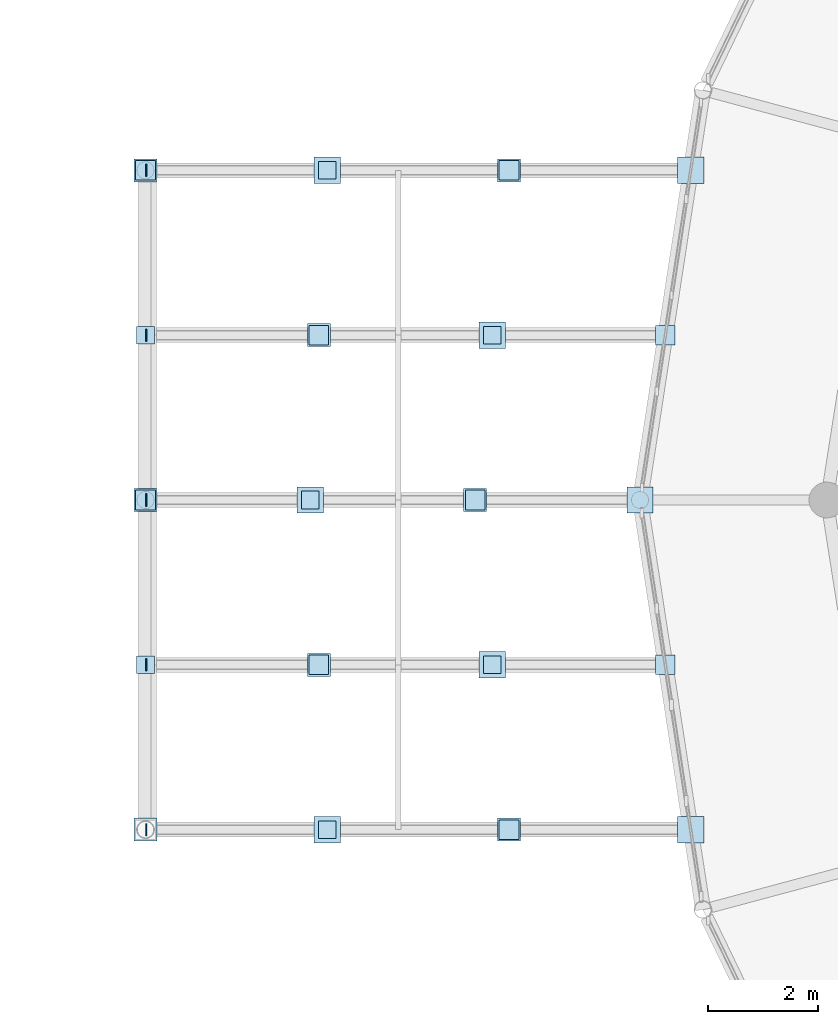
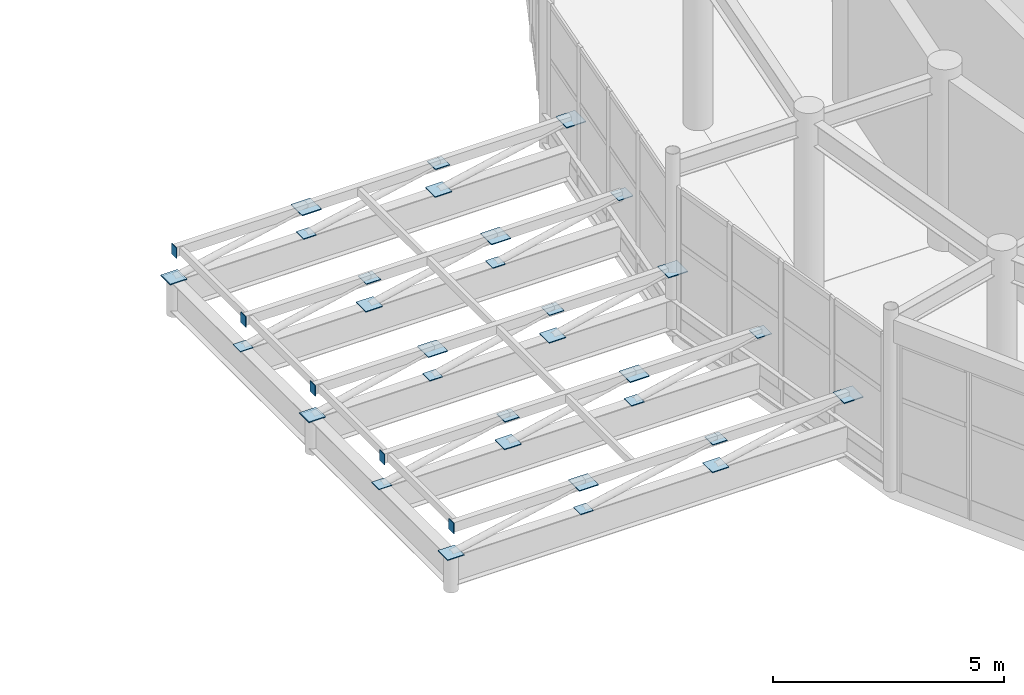
# One storey, part 94 of 144: 37 plates.
"""IFC4 building model written with IfcOpenShell, lengths in metres."""

import ifcopenshell
import ifcopenshell.guid

model = None  # the IFC model being written
_history = None  # IfcOwnerHistory: only IFC2X3 demands one
_inside = {}  # id of a spatial element -> (the spatial element, [elements in it])
_under = {}  # id of a project, library or spatial element -> (it, [spatial elements below it])
_declared = {}  # id of a project -> (the project, [libraries it declares])
_typed = {}  # id of a type object -> (the type object, [elements of that type])
_made_of = {}  # id of a material, layer set ... -> (it, [elements and type objects made of it])


def new_model(schema):
    """Start an empty IFC model of exactly this schema.

    Asked for "IFC4X3", IfcOpenShell would pick the latest addendum, in which some entities
    have other attributes; the version numbers below select the first issue.
    IFC2X3 requires an IfcOwnerHistory on every rooted entity: one is made here for all.
    """
    global model, _history
    if schema == "IFC4X3":
        model = ifcopenshell.file(schema_version=(4, 3, 0, 0))
    else:
        model = ifcopenshell.file(schema=schema)
    _inside.clear()
    _under.clear()
    _declared.clear()
    _typed.clear()
    _made_of.clear()
    _history = None
    if model.schema == "IFC2X3":
        org = make("IfcOrganization", Name="unknown")
        user = make(
            "IfcPersonAndOrganization",
            ThePerson=make("IfcPerson", FamilyName="unknown"),
            TheOrganization=org,
        )
        app = make(
            "IfcApplication",
            ApplicationDeveloper=org,
            Version="unknown",
            ApplicationFullName="unknown",
            ApplicationIdentifier="unknown",
        )
        _history = make(
            "IfcOwnerHistory",
            OwningUser=user,
            OwningApplication=app,
            ChangeAction="ADDED",
            CreationDate=0,
        )
    return model


def make(cls, **values):
    """One entity of the class cls with the attributes given. An attribute that is None is left unset."""
    return model.create_entity(
        cls, **{name: value for name, value in values.items() if value is not None}
    )


def rooted(cls, **values):
    """An entity with a GlobalId (a new one), such as an element, a storey or a relation."""
    return make(cls, GlobalId=ifcopenshell.guid.new(), OwnerHistory=_history, **values)


def si_unit(unit_type, name, prefix=None):
    """IfcSIUnit, for example si_unit("LENGTHUNIT", "METRE", prefix="MILLI")."""
    return make("IfcSIUnit", UnitType=unit_type, Prefix=prefix, Name=name)


def assignment(units):
    """IfcUnitAssignment: the units of a project."""
    return None if units is None else make("IfcUnitAssignment", Units=units)


def point(xyz):
    """IfcCartesianPoint."""
    return None if xyz is None else make("IfcCartesianPoint", Coordinates=xyz)


def direction(xyz):
    """IfcDirection."""
    return None if xyz is None else make("IfcDirection", DirectionRatios=xyz)


def frame(location, z_axis=None, x_axis=None):
    """IfcAxis2Placement3D, a coordinate frame: its origin and axes. An axis left out is left unset."""
    return make(
        "IfcAxis2Placement3D",
        Location=point(location),
        Axis=direction(z_axis),
        RefDirection=direction(x_axis),
    )


def frame_2d(location, x_axis=None):
    """IfcAxis2Placement2D, a coordinate frame in the plane: its origin and x axis."""
    return make(
        "IfcAxis2Placement2D", Location=point(location), RefDirection=direction(x_axis)
    )


def origin():
    """The frame at (0, 0, 0) with its axes left unset."""
    return frame((0.0, 0.0, 0.0))


def origin_2d():
    """The frame at (0, 0) in the plane with its x axis left unset."""
    return frame_2d((0.0, 0.0))


def place(relative_to, where):
    """IfcLocalPlacement: puts the frame where relative to a parent placement (None: the world)."""
    return make(
        "IfcLocalPlacement", PlacementRelTo=relative_to, RelativePlacement=where
    )


def context(
    kind, dimensions, precision=None, world=None, true_north=None, identifier=None
):
    """IfcGeometricRepresentationContext, for example the 3D "Model" context."""
    return make(
        "IfcGeometricRepresentationContext",
        ContextIdentifier=identifier,
        ContextType=kind,
        CoordinateSpaceDimension=dimensions,
        Precision=precision,
        WorldCoordinateSystem=world,
        TrueNorth=true_north,
    )


def subcontext(parent, identifier, kind, view, scale=None):
    """IfcGeometricRepresentationSubContext, for example "Body" below "Model"."""
    return make(
        "IfcGeometricRepresentationSubContext",
        ContextIdentifier=identifier,
        ContextType=kind,
        ParentContext=parent,
        TargetScale=scale,
        TargetView=view,
    )


def project(units=None, contexts=None):
    """IfcProject with its units and contexts."""
    return rooted(
        "IfcProject",
        Name="project",
        RepresentationContexts=contexts,
        UnitsInContext=assignment(units),
    )


def spatial(cls, under=None, at=None, **own):
    """A site, building, storey or space (cls), placed at a placement, below another one or the project."""
    s = rooted(cls, ObjectPlacement=at, **own)
    if under is not None:
        _under.setdefault(under.id(), (under, []))[1].append(s)
    return s


def profile(cls, at=None, kind="AREA", **sizes):
    """A parametric profile (cls). Its sizes go by their IFC names, for example OverallWidth=200.0."""
    return make(cls, ProfileType=kind, Position=at, **sizes)


def rectangle(**sizes):
    """IfcRectangleProfileDef."""
    return profile("IfcRectangleProfileDef", **sizes)


def extrude(swept, where, along, depth):
    """IfcExtrudedAreaSolid: the profile swept, set in the frame where, extruded along a direction by depth."""
    return make(
        "IfcExtrudedAreaSolid",
        SweptArea=swept,
        Position=where,
        ExtrudedDirection=direction(along),
        Depth=depth,
    )


def shape(context_of_items, identifier, shape_type, items):
    """IfcShapeRepresentation: the items that make up one representation, for example the "Body"."""
    return make(
        "IfcShapeRepresentation",
        ContextOfItems=context_of_items,
        RepresentationIdentifier=identifier,
        RepresentationType=shape_type,
        Items=items,
    )


def material(Name=None, Category=None):
    """IfcMaterial."""
    return make("IfcMaterial", Name=Name, Category=Category)


def layer(
    of_material, thickness, ventilated=None, Name=None, Category=None, Priority=None
):
    """IfcMaterialLayer: one layer of a wall or slab, of a material (None: an air gap)."""
    return make(
        "IfcMaterialLayer",
        Material=of_material,
        LayerThickness=thickness,
        IsVentilated=ventilated,
        Name=Name,
        Category=Category,
        Priority=Priority,
    )


def layer_set(layers, Name=None):
    """IfcMaterialLayerSet."""
    return make("IfcMaterialLayerSet", MaterialLayers=layers, LayerSetName=Name)


def made_of(thing, what):
    """Note that an element or type object is made of a material, layer set ...; save() writes the relation."""
    if what is not None:
        _made_of.setdefault(what.id(), (what, []))[1].append(thing)
    return thing


def type_object(cls, material=None, **own):
    """A type object (cls), such as IfcWallType, which elements share."""
    return made_of(rooted(cls, **own), material)


def element(
    cls,
    number,
    at=None,
    inside=None,
    cuts=None,
    type_object=None,
    material=None,
    context=None,
    identifier="Body",
    shape_type=None,
    held_by="IfcProductDefinitionShape",
    body=None,
    shapes=None,
    **own,
):
    """One element of the class cls, such as IfcWall. Its Tag is "e" and its number.

    at: its placement. inside: the storey or other place that contains it. cuts: it is an
    opening in that element (IfcRelVoidsElement). A single representation is given by context,
    identifier, shape_type and body (its items); several are given by shapes. held_by: the class
    of the entity that holds the representations. save() writes the other relations.
    """
    e = rooted(cls, Tag="e%d" % number, ObjectPlacement=at, **own)
    if body is not None:
        shapes = [shape(context, identifier, shape_type, body)]
    if shapes is not None:
        e.Representation = make(held_by, Representations=shapes)
    if inside is not None:
        _inside.setdefault(inside.id(), (inside, []))[1].append(e)
    if cuts is not None:
        rooted(
            "IfcRelVoidsElement", RelatingBuildingElement=cuts, RelatedOpeningElement=e
        )
    if type_object is not None:
        _typed.setdefault(type_object.id(), (type_object, []))[1].append(e)
    return made_of(e, material)


def aggregate(whole, parts):
    """IfcRelAggregates: a whole, such as a stair, and the parts it consists of."""
    return rooted("IfcRelAggregates", RelatingObject=whole, RelatedObjects=parts)


def save(model, path):
    """Write the relations noted so far, then the file.

    IfcRelAggregates (storeys below a building ...), IfcRelContainedInSpatialStructure (elements
    in a storey), IfcRelDefinesByType, IfcRelAssociatesMaterial and IfcRelDeclares: one each for
    every whole, place, type object, material and project.
    """
    for whole, parts in _under.values():
        aggregate(whole, parts)
    for where, things in _inside.values():
        rooted(
            "IfcRelContainedInSpatialStructure",
            RelatedElements=things,
            RelatingStructure=where,
        )
    for kind, things in _typed.values():
        rooted("IfcRelDefinesByType", RelatedObjects=things, RelatingType=kind)
    for what, things in _made_of.values():
        rooted("IfcRelAssociatesMaterial", RelatedObjects=things, RelatingMaterial=what)
    for by, libraries in _declared.values():
        rooted("IfcRelDeclares", RelatingContext=by, RelatedDefinitions=libraries)
    model.write(path)


model = new_model("IFC4")

# Units and contexts
model_context = context("Model", 3, precision=1e-05, world=origin(), true_north=direction((0.0, 1.0)))
body_context = subcontext(model_context, "Body", "Model", "MODEL_VIEW")
ifc_project = project(units=[si_unit("LENGTHUNIT", "METRE"), si_unit("AREAUNIT", "SQUARE_METRE"), si_unit("VOLUMEUNIT", "CUBIC_METRE"), si_unit("PLANEANGLEUNIT", "RADIAN"), si_unit("MASSUNIT", "GRAM", prefix="KILO")], contexts=[model_context])

# Site, building, storey
site_placement = place(None, origin())
site = spatial("IfcSite", under=ifc_project, at=site_placement, CompositionType="ELEMENT")
building_placement = place(site_placement, origin())
building = spatial("IfcBuilding", under=site, at=building_placement, Name="Cinderbank Siding Concert Hall", CompositionType="ELEMENT")
storey_placement = place(building_placement, frame((0.0, 0.0, 5.39990234375)))
storey = spatial("IfcBuildingStorey", under=building, at=storey_placement, Name="L02", CompositionType="ELEMENT", Elevation=5.39990234375)

# Plates
ifc_material = material(Name="Structural steel welded plate section AS/NZS 3679.2 / AS/NZS 3678 Grade 350 (340 MPa)", Category="steel")
ifc_layer_1 = layer(ifc_material, 0.02490234375)
ifc_layer_set_1 = layer_set([ifc_layer_1], Name="Structural steel welded plate section AS/NZS 3679.2 / AS/NZS 3678 Grade 350 (340 MPa)")
plate_type_1 = type_object("IfcPlateType", Name="GP-01 Steel Gusset Cap Plate 480x480x25", PredefinedType="SHEET", material=ifc_layer_set_1)
for number, where, z_axis, x_axis, name in (
    (1, (89.321533203125, 38.0, 1.6376953125), (0.0, 0.0, 1.0), (-1.0, 0.0, 0.0), "L02 Steel Node Gusset Plate GP-01 #88"),
    (2, (82.707275390625, 38.0, 1.6376953125), (0.0, 0.0, 1.0), (-1.0, 0.0, 0.0), "L02 Steel Node Gusset Plate GP-01 #92"),
    (3, (85.707275390625, 41.0, 1.6376953125), (0.0, 0.0, 1.0), (-1.0, 0.0, 0.0), "L02 Steel Node Gusset Plate GP-01 #96"),
    (4, (88.39990234375, 44.0, 1.6376953125), (0.0, 0.0, 1.0), (-1.0, 0.0, 0.0), "L02 Steel Node Gusset Plate GP-01 #100"),
    (5, (82.39990234375, 44.0, 1.6376953125), (0.0, 0.0, 1.0), (-1.0, 0.0, 0.0), "L02 Steel Node Gusset Plate GP-01 #104"),
    (6, (85.707275390625, 47.0, 1.6376953125), (0.0, 0.0, 1.0), (-1.0, 0.0, 0.0), "L02 Steel Node Gusset Plate GP-01 #108"),
    (7, (89.321533203125, 50.0, 1.6376953125), (0.0, 0.0, 1.0), (-1.0, 0.0, 0.0), "L02 Steel Node Gusset Plate GP-01 #112"),
    (8, (82.707275390625, 50.0, 1.6376953125), (0.0, 0.0, 1.0), (-1.0, 0.0, 0.0), "L02 Steel Node Gusset Plate GP-01 #116"),
):
    element("IfcPlate", number, at=place(storey_placement, frame(where, z_axis=z_axis, x_axis=x_axis)), inside=storey, type_object=plate_type_1, Name=name, PredefinedType="SHEET", context=body_context, shape_type="SweptSolid", body=[
        extrude(rectangle(XDim=0.47998046875, YDim=0.47998046875, at=origin_2d()), origin(), (0.0, 0.0, 1.0), 0.02490234375),
    ])
ifc_layer_2 = layer(ifc_material, 0.02197265625)
ifc_layer_set_2 = layer_set([ifc_layer_2], Name="Structural steel welded plate section AS/NZS 3679.2 / AS/NZS 3678 Grade 350 (340 MPa)")
plate_type_2 = type_object("IfcPlateType", Name="GP-02 Steel Gusset Cap Plate 420x420x22", PredefinedType="SHEET", material=ifc_layer_set_2)
for number, where, z_axis, x_axis, name in (
    (9, (86.014404296875, 38.0, 0.939208984375), (0.0, 0.0, 1.0), (-1.0, 0.0, 0.0), "L02 Steel Node Gusset Plate GP-02 #89"),
    (10, (79.39990234375, 38.0, 0.939208984375), (0.0, 0.0, 1.0), (-1.0, 0.0, 0.0), "L02 Steel Node Gusset Plate GP-02 #93"),
    (11, (82.5537109375, 41.0, 0.939208984375), (0.0, 0.0, 1.0), (-1.0, 0.0, 0.0), "L02 Steel Node Gusset Plate GP-02 #97"),
    (12, (85.39990234375, 44.0, 0.939208984375), (0.0, 0.0, 1.0), (-1.0, 0.0, 0.0), "L02 Steel Node Gusset Plate GP-02 #101"),
    (13, (79.39990234375, 44.0, 0.939208984375), (0.0, 0.0, 1.0), (-1.0, 0.0, 0.0), "L02 Steel Node Gusset Plate GP-02 #105"),
    (14, (82.5537109375, 47.0, 0.939208984375), (0.0, 0.0, 1.0), (-1.0, 0.0, 0.0), "L02 Steel Node Gusset Plate GP-02 #109"),
    (15, (86.014404296875, 50.0, 0.939208984375), (0.0, 0.0, 1.0), (-1.0, 0.0, 0.0), "L02 Steel Node Gusset Plate GP-02 #113"),
    (16, (79.39990234375, 50.0, 0.939208984375), (0.0, 0.0, 1.0), (-1.0, 0.0, 0.0), "L02 Steel Node Gusset Plate GP-02 #117"),
):
    element("IfcPlate", number, at=place(storey_placement, frame(where, z_axis=z_axis, x_axis=x_axis)), inside=storey, type_object=plate_type_2, Name=name, PredefinedType="SHEET", context=body_context, shape_type="SweptSolid", body=[
        extrude(rectangle(XDim=0.419921875, YDim=0.419921875, at=origin_2d()), origin(), (0.0, 0.0, 1.0), 0.02197265625),
    ])
ifc_layer_3 = layer(ifc_material, 0.02001953125)
ifc_layer_set_3 = layer_set([ifc_layer_3], Name="Structural steel welded plate section AS/NZS 3679.2 / AS/NZS 3678 Grade 350 (340 MPa)")
plate_type_3 = type_object("IfcPlateType", Name="GP-03 Steel Gusset Cap Plate 360x360x20", PredefinedType="SHEET", material=ifc_layer_set_3)
for number, where, z_axis, x_axis, name in (
    (17, (79.39990234375, 44.0, 0.93017578125), (0.0, 0.0, 1.0), (1.0, 0.0, 0.0), "L02 Column End Cap Plate GP-03 COL-CNP-02-L02"),
    (18, (79.39990234375, 50.0, 0.93017578125), (0.0, 0.0, 1.0), (1.0, 0.0, 0.0), "L02 Column End Cap Plate GP-03 COL-CNP-03-L02"),
    (19, (86.014404296875, 38.0, 1.64013671875), (0.0, 0.0, 1.0), (-1.0, 0.0, 0.0), "L02 Steel Node Gusset Plate GP-03 #90"),
    (20, (88.86083984375, 41.0, 1.64013671875), (0.0, 0.0, 1.0), (-1.0, 0.0, 0.0), "L02 Steel Node Gusset Plate GP-03 #94"),
    (21, (82.5537109375, 41.0, 1.64013671875), (0.0, 0.0, 1.0), (-1.0, 0.0, 0.0), "L02 Steel Node Gusset Plate GP-03 #98"),
    (22, (85.39990234375, 44.0, 1.64013671875), (0.0, 0.0, 1.0), (-1.0, 0.0, 0.0), "L02 Steel Node Gusset Plate GP-03 #102"),
    (23, (88.86083984375, 47.0, 1.64013671875), (0.0, 0.0, 1.0), (-1.0, 0.0, 0.0), "L02 Steel Node Gusset Plate GP-03 #106"),
    (24, (82.5537109375, 47.0, 1.64013671875), (0.0, 0.0, 1.0), (-1.0, 0.0, 0.0), "L02 Steel Node Gusset Plate GP-03 #110"),
    (25, (86.014404296875, 50.0, 1.64013671875), (0.0, 0.0, 1.0), (-1.0, 0.0, 0.0), "L02 Steel Node Gusset Plate GP-03 #114"),
):
    element("IfcPlate", number, at=place(storey_placement, frame(where, z_axis=z_axis, x_axis=x_axis)), inside=storey, type_object=plate_type_3, Name=name, PredefinedType="SHEET", context=body_context, shape_type="SweptSolid", body=[
        extrude(rectangle(XDim=0.360107421875, YDim=0.360107421875, at=origin_2d()), origin(), (0.0, 0.0, 1.0), 0.02001953125),
    ])
ifc_layer_4 = layer(ifc_material, 0.02099609375)
ifc_layer_set_4 = layer_set([ifc_layer_4], Name="Structural steel welded plate section AS/NZS 3679.2 / AS/NZS 3678 Grade 350 (340 MPa)")
plate_type_4 = type_object("IfcPlateType", Name="GP-04 Steel Gusset Cap Plate 320x320x21", PredefinedType="SHEET", material=ifc_layer_set_4)
for number, where, z_axis, x_axis, name in (
    (26, (82.707275390625, 38.0, 0.939697265625), (0.0, 0.0, 1.0), (-1.0, 0.0, 0.0), "L02 Steel Node Gusset Plate GP-04 #91"),
    (27, (85.707275390625, 41.0, 0.939697265625), (0.0, 0.0, 1.0), (-1.0, 0.0, 0.0), "L02 Steel Node Gusset Plate GP-04 #95"),
    (28, (79.39990234375, 41.0, 0.939697265625), (0.0, 0.0, 1.0), (-1.0, 0.0, 0.0), "L02 Steel Node Gusset Plate GP-04 #99"),
    (29, (82.39990234375, 44.0, 0.939697265625), (0.0, 0.0, 1.0), (-1.0, 0.0, 0.0), "L02 Steel Node Gusset Plate GP-04 #103"),
    (30, (85.707275390625, 47.0, 0.939697265625), (0.0, 0.0, 1.0), (-1.0, 0.0, 0.0), "L02 Steel Node Gusset Plate GP-04 #107"),
    (31, (79.39990234375, 47.0, 0.939697265625), (0.0, 0.0, 1.0), (-1.0, 0.0, 0.0), "L02 Steel Node Gusset Plate GP-04 #111"),
    (32, (82.707275390625, 50.0, 0.939697265625), (0.0, 0.0, 1.0), (-1.0, 0.0, 0.0), "L02 Steel Node Gusset Plate GP-04 #115"),
):
    element("IfcPlate", number, at=place(storey_placement, frame(where, z_axis=z_axis, x_axis=x_axis)), inside=storey, type_object=plate_type_4, Name=name, PredefinedType="SHEET", context=body_context, shape_type="SweptSolid", body=[
        extrude(rectangle(XDim=0.320068359375, YDim=0.320068359375, at=origin_2d()), origin(), (0.0, 0.0, 1.0), 0.02099609375),
    ])
plate_type_5 = type_object("IfcPlateType", Name="GP-09 Steel Gusset Cap Plate 20x220x280", PredefinedType="SHEET", material=ifc_material)
for number, where, z_axis, x_axis, name in (
    (33, (79.409912109375, 38.0, 1.51025390625), (0.0, 0.0, 1.0), (1.0, 0.0, 0.0), "L02 Canopy Chord End Cap Plate GP-09 #1"),
    (34, (79.409912109375, 41.0, 1.51025390625), (0.0, 0.0, 1.0), (1.0, 0.0, 0.0), "L02 Canopy Chord End Cap Plate GP-09 #2"),
    (35, (79.409912109375, 44.0, 1.51025390625), (0.0, 0.0, 1.0), (1.0, 0.0, 0.0), "L02 Canopy Chord End Cap Plate GP-09 #3"),
    (36, (79.409912109375, 47.0, 1.51025390625), (0.0, 0.0, 1.0), (1.0, 0.0, 0.0), "L02 Canopy Chord End Cap Plate GP-09 #4"),
    (37, (79.409912109375, 50.0, 1.51025390625), (0.0, 0.0, 1.0), (1.0, 0.0, 0.0), "L02 Canopy Chord End Cap Plate GP-09 #5"),
):
    element("IfcPlate", number, at=place(storey_placement, frame(where, z_axis=z_axis, x_axis=x_axis)), inside=storey, type_object=plate_type_5, Name=name, PredefinedType="SHEET", context=body_context, shape_type="SweptSolid", body=[
        extrude(rectangle(XDim=0.02001953125, YDim=0.219970703125, at=origin_2d()), origin(), (0.0, 0.0, 1.0), 0.280029296875),
    ])

save(model, "model.ifc")
